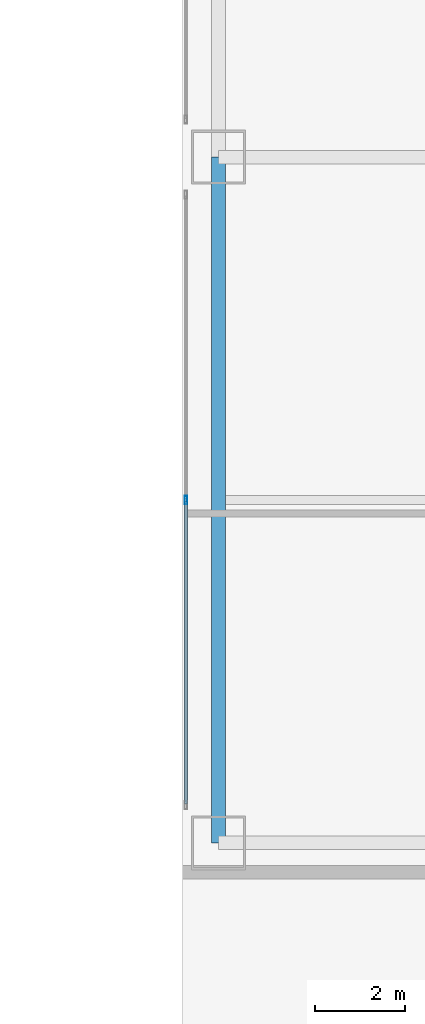
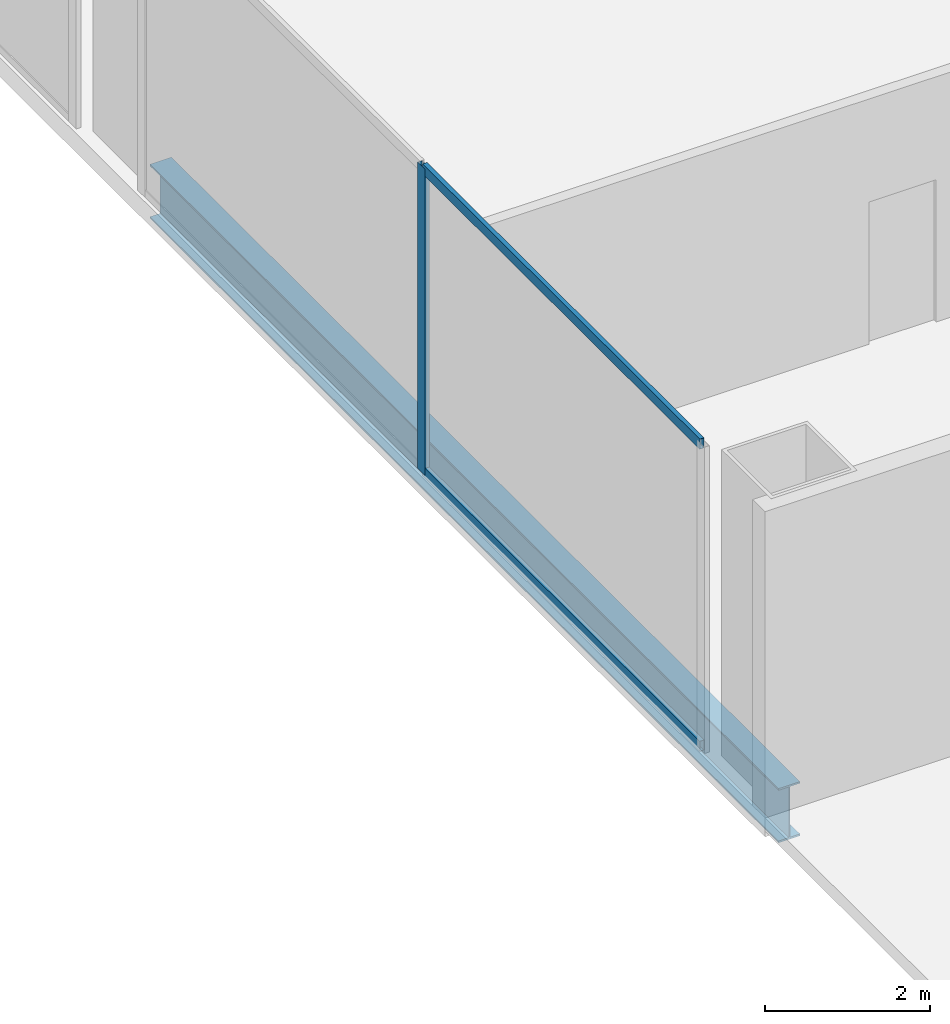
# One storey, part 5 of 58: 3 members, 1 beam, 1 element without a shape of its own.
"""IFC4 building model written with IfcOpenShell, lengths in metres."""

from ifc_helpers import new_model, si_unit, direction, frame, origin, origin_2d, place, context, subcontext, project, spatial, hollow_rectangle, i_section, extrude, source, transform, mapped, material, layer, layer_set, material_profile, profile_set, type_object, element, aggregate, save


model = new_model("IFC4")

# Units and contexts
model_context = context("Model", 3, precision=1e-05, world=origin(), true_north=direction((0.0, 1.0)))
body_context = subcontext(model_context, "Body", "Model", "MODEL_VIEW")
ifc_project = project(units=[si_unit("LENGTHUNIT", "METRE"), si_unit("AREAUNIT", "SQUARE_METRE"), si_unit("VOLUMEUNIT", "CUBIC_METRE"), si_unit("PLANEANGLEUNIT", "RADIAN"), si_unit("MASSUNIT", "GRAM", prefix="KILO"), si_unit("THERMODYNAMICTEMPERATUREUNIT", "KELVIN"), si_unit("POWERUNIT", "WATT")], contexts=[model_context])

# Site, building, storey
site_placement = place(None, origin())
site = spatial("IfcSite", under=ifc_project, at=site_placement, CompositionType="ELEMENT")
building_placement = place(site_placement, origin())
building = spatial("IfcBuilding", under=site, at=building_placement, Name="Yunzhuo Pagoda Commons", CompositionType="ELEMENT")
storey_placement = place(building_placement, origin())
storey = spatial("IfcBuildingStorey", under=building, at=storey_placement, Name="L01", CompositionType="ELEMENT", Elevation=0.0)

# Beam
ifc_material_1 = material(Name="Structural steel Q355B", Category="steel")
ifc_material_profile_1 = material_profile(ifc_material_1, i_section(OverallWidth=0.300048828125, OverallDepth=0.800048828125, WebThickness=0.013916015625, FlangeThickness=0.02587890625, at=origin_2d()), Name="Structural steel Q355B")
ifc_profile_set_1 = profile_set([ifc_material_profile_1], Name="Structural steel Q355B")
beam_type = type_object("IfcBeamType", Name="B-PD2 Beam HN 800x300x14x26", PredefinedType="BEAM", material=ifc_profile_set_1)
shared_shape_1 = source(origin(), body_context, "Body", "SweptSolid", [
    extrude(i_section(OverallWidth=0.300048828125, OverallDepth=0.800048828125, WebThickness=0.013916015625, FlangeThickness=0.02587890625, at=origin_2d()), origin(), (0.0, 0.0, 1.0), 15.199951171875),
])
beam_placement = place(storey_placement, frame((4.800048828125, 6.800048828125, -0.679931640625), z_axis=(0.0, 1.0, 0.0), x_axis=(-1.0, 0.0, 0.0)))
element("IfcBeam", 1, at=beam_placement, inside=storey, type_object=beam_type, Name="L01 podium girder NS 1.1", PredefinedType="BEAM", context=body_context, shape_type="MappedRepresentation", body=[
    mapped(shared_shape_1, transform((0.0, 0.0, 0.0), scale=1.0)),
])

# Curtain wall, members
ifc_material_2 = material(Name="Anodized aluminium 6063-T6", Category="aluminium")
ifc_layer = layer(ifc_material_2, 0.179931640625)
ifc_layer_set = layer_set([ifc_layer], Name="Anodized aluminium 6063-T6")
curtain_wall_type = type_object("IfcCurtainWallType", Name="CW-POD Waterfront Podium Curtain Wall", PredefinedType="NOTDEFINED", material=ifc_layer_set)
curtain_wall_placement = place(storey_placement, origin())
curtain_wall = element("IfcCurtainWall", 2, at=curtain_wall_placement, inside=storey, type_object=curtain_wall_type, Name="L01 curtain wall CW-L01-W1", PredefinedType="NOTDEFINED")
ifc_material_profile_2 = material_profile(ifc_material_2, hollow_rectangle(XDim=0.06494140625, YDim=0.179931640625, WallThickness=0.00390625, at=origin_2d()), Name="Anodized aluminium 6063-T6")
ifc_profile_set_2 = profile_set([ifc_material_profile_2], Name="Anodized aluminium 6063-T6")
member_type_1 = type_object("IfcMemberType", Name="CW-POD-M Mullion RHS 180x65x4", PredefinedType="MULLION", material=ifc_profile_set_2)
shared_shape_2 = source(origin(), body_context, "Body", "SweptSolid", [
    extrude(hollow_rectangle(XDim=0.06494140625, YDim=0.179931640625, WallThickness=0.00390625, at=origin_2d()), origin(), (0.0, 0.0, 1.0), 4.520263671875),
])
member_1_placement = place(storey_placement, frame((4.080078125, 14.39990234375, 0.0), z_axis=(0.0, 0.0, 1.0), x_axis=(-1.0, 0.0, 0.0)))
member_1 = element("IfcMember", 3, at=member_1_placement, type_object=member_type_1, Name="CW mullion 2", PredefinedType="MULLION", context=body_context, shape_type="MappedRepresentation", body=[
    mapped(shared_shape_2, transform((0.0, 0.0, 0.0), scale=1.0)),
])
ifc_material_profile_3 = material_profile(ifc_material_2, hollow_rectangle(XDim=0.06005859375, YDim=0.14990234375, WallThickness=0.00390625, at=origin_2d()), Name="Anodized aluminium 6063-T6")
ifc_profile_set_3 = profile_set([ifc_material_profile_3], Name="Anodized aluminium 6063-T6")
member_type_2 = type_object("IfcMemberType", Name="CW-POD-T Transom RHS 150x60x4", PredefinedType="USERDEFINED", material=ifc_profile_set_3)
shared_shape_3 = source(origin(), body_context, "Body", "SweptSolid", [
    extrude(hollow_rectangle(XDim=0.06005859375, YDim=0.14990234375, WallThickness=0.00390625, at=origin_2d()), origin(), (0.0, 0.0, 1.0), 6.702392578125),
])
member_2_placement = place(storey_placement, frame((4.080078125, 7.6650390625, 0.030029296875), z_axis=(0.0, 1.0, 0.0), x_axis=(-1.0, 0.0, 0.0)))
member_2 = element("IfcMember", 4, at=member_2_placement, type_object=member_type_2, Name="CW transom 1.1", ObjectType="TRANSOM", PredefinedType="USERDEFINED", context=body_context, shape_type="MappedRepresentation", body=[
    mapped(shared_shape_3, transform((0.0, 0.0, 0.0), scale=1.0)),
])
member_3_placement = place(storey_placement, frame((4.080078125, 7.6650390625, 4.489990234375), z_axis=(0.0, 1.0, 0.0), x_axis=(-1.0, 0.0, 0.0)))
member_3 = element("IfcMember", 5, at=member_3_placement, type_object=member_type_2, Name="CW transom 1.2", ObjectType="TRANSOM", PredefinedType="USERDEFINED", context=body_context, shape_type="MappedRepresentation", body=[
    mapped(shared_shape_3, transform((0.0, 0.0, 0.0), scale=1.0)),
])
aggregate(curtain_wall, [member_1, member_2, member_3])

save(model, "model.ifc")
